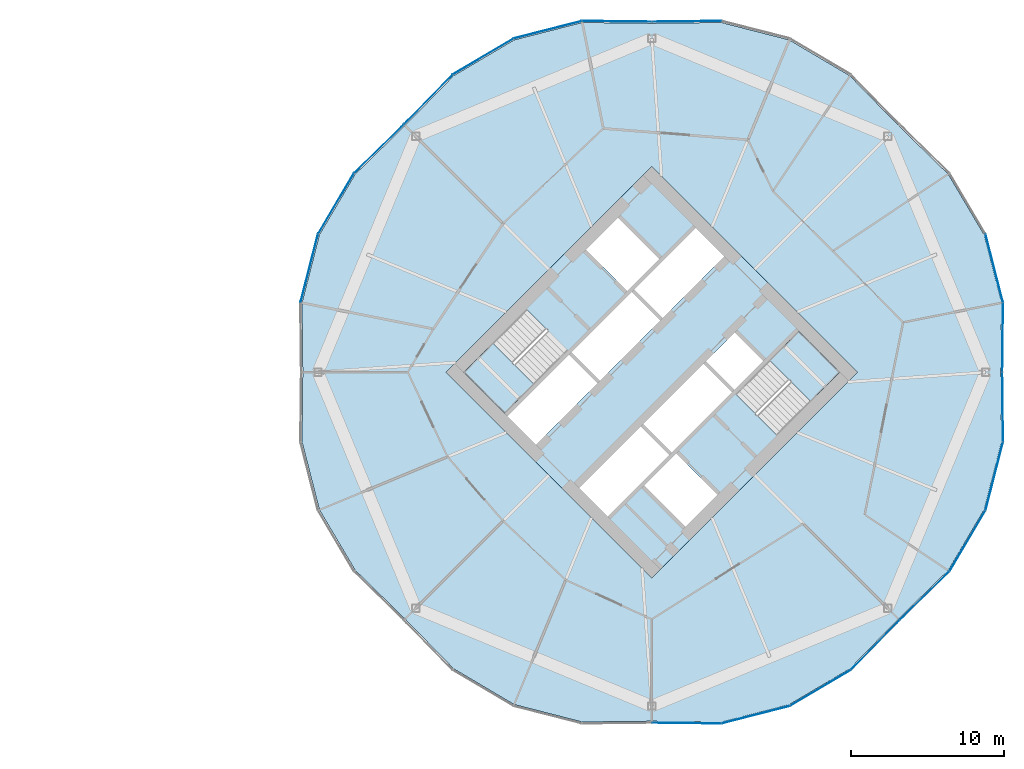
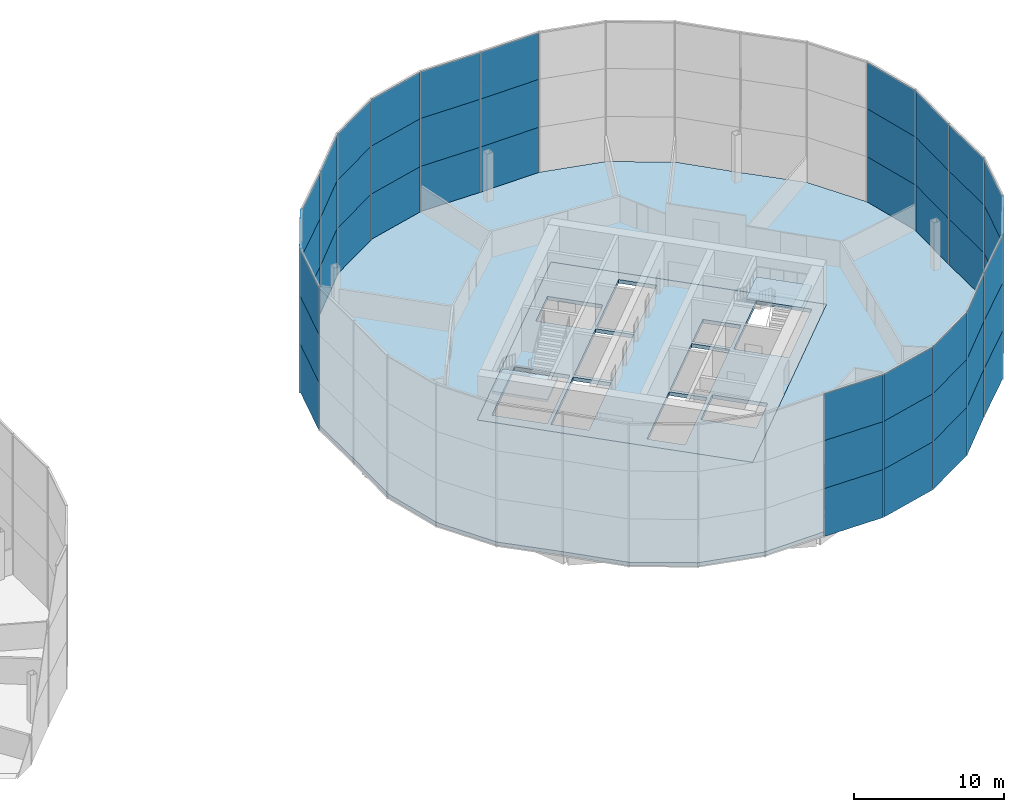
# One storey, part 18 of 25: 54 plates, 4 slabs, 8 elements without a shape of their own.
"""IFC4 building model written with IfcOpenShell, lengths in metres."""

from ifc_helpers import new_model, si_unit, direction, frame, origin, origin_2d, place, context, subcontext, project, spatial, polyline, rectangle, outline, extrude, material, layer, layer_set, type_object, element, aggregate, save


model = new_model("IFC4")

# Units and contexts
model_context = context("Model", 3, precision=1e-05, world=origin(), true_north=direction((0.0, 1.0)))
body_context = subcontext(model_context, "Body", "Model", "MODEL_VIEW")
ifc_project = project(units=[si_unit("LENGTHUNIT", "METRE"), si_unit("AREAUNIT", "SQUARE_METRE"), si_unit("VOLUMEUNIT", "CUBIC_METRE"), si_unit("PLANEANGLEUNIT", "RADIAN"), si_unit("MASSUNIT", "GRAM", prefix="KILO")], contexts=[model_context])

# Site, building, storey
site_placement = place(None, origin())
site = spatial("IfcSite", under=ifc_project, at=site_placement, CompositionType="ELEMENT")
building_placement = place(site_placement, origin())
building = spatial("IfcBuilding", under=site, at=building_placement, Name="Ogive Gate Towers", CompositionType="ELEMENT")
storey_placement = place(building_placement, frame((0.0, 0.0, 44.10009765625)))
storey = spatial("IfcBuildingStorey", under=building, at=storey_placement, Name="L09", CompositionType="ELEMENT", Elevation=44.10009765625)

# Slabs
ifc_material_1 = material(Name="Concrete C40/50", Category="concrete")
ifc_layer_1 = layer(ifc_material_1, 0.300048828125)
ifc_layer_set_1 = layer_set([ifc_layer_1], Name="Core slab C40/50 300 mm")
slab_type_1 = type_object("IfcSlabType", Name="Core slab C40/50 300 mm", PredefinedType="FLOOR", material=ifc_layer_set_1)
slab_1_placement = place(storey_placement, frame((0.0, 0.0, -0.300048828125)))
element("IfcSlab", 1, at=slab_1_placement, inside=storey, type_object=slab_type_1, Name="T2 L09 core slab", PredefinedType="FLOOR", context=body_context, shape_type="SweptSolid", body=[
    extrude(outline(polyline([(36.0, 13.43505859375), (49.43505859375, 0.0), (36.0, -13.43505859375), (22.56494140625, 0.0), (36.0, 13.43505859375)]), holes=[polyline([(30.590576171875, 1.13134765625), (26.577880859375, -2.881591796875), (28.43408203125, -4.737548828125), (32.44677734375, -0.724853515625), (30.590576171875, 1.13134765625)]), polyline([(36.548095703125, 3.37646484375), (34.69189453125, 5.232666015625), (30.767333984375, 1.30810546875), (32.62353515625, -0.548095703125), (36.548095703125, 3.37646484375)]), polyline([(36.724853515625, 3.55322265625), (40.737548828125, 7.56591796875), (38.881591796875, 9.422119140625), (34.86865234375, 5.409423828125), (36.724853515625, 3.55322265625)]), polyline([(31.262451171875, -7.56591796875), (33.118408203125, -9.422119140625), (37.13134765625, -5.409423828125), (35.275146484375, -3.55322265625), (31.262451171875, -7.56591796875)]), polyline([(39.37646484375, 0.548095703125), (35.451904296875, -3.37646484375), (37.30810546875, -5.232666015625), (41.232666015625, -1.30810546875), (39.37646484375, 0.548095703125)]), polyline([(43.283203125, 0.742431640625), (41.427001953125, 2.5986328125), (39.55322265625, 0.724853515625), (41.409423828125, -1.13134765625), (43.283203125, 0.742431640625)]), polyline([(34.408935546875, 5.30322265625), (36.4951171875, 7.389404296875), (33.790283203125, 10.093994140625), (31.704345703125, 8.008056640625), (34.408935546875, 5.30322265625)]), polyline([(35.5048828125, -7.389404296875), (38.209716796875, -10.093994140625), (40.295654296875, -8.008056640625), (37.591064453125, -5.30322265625), (35.5048828125, -7.389404296875)]), polyline([(26.40087890625, -2.70458984375), (30.512939453125, 1.406982421875), (27.80810546875, 4.11181640625), (23.6962890625, 0.0), (26.40087890625, -2.70458984375)]), polyline([(48.3037109375, 0.0), (45.59912109375, 2.70458984375), (41.487060546875, -1.406982421875), (44.19189453125, -4.11181640625), (48.3037109375, 0.0)])]), origin(), (0.0, 0.0, 1.0), 0.300048828125),
])
ifc_material_2 = material(Name="Concrete C35/45", Category="concrete")
ifc_layer_2 = layer(ifc_material_2, 0.300048828125)
ifc_layer_set_2 = layer_set([ifc_layer_2], Name="Floor slab 300")
slab_type_2 = type_object("IfcSlabType", Name="Floor slab 300", PredefinedType="FLOOR", material=ifc_layer_set_2)
slab_2_placement = place(storey_placement, frame((0.0, 0.0, -0.300048828125)))
element("IfcSlab", 2, at=slab_2_placement, inside=storey, type_object=slab_type_2, Name="T2/L09/SSL001", PredefinedType="FLOOR", context=body_context, shape_type="SweptSolid", body=[
    extrude(outline(polyline([(58.852294921875, -4.545654296875), (58.800048828125, 0.0), (58.852294921875, 4.545654296875), (57.711181640625, 8.9931640625), (55.373291015625, 12.94482421875), (52.1220703125, 16.1220703125), (48.94482421875, 19.373291015625), (44.9931640625, 21.711181640625), (40.545654296875, 22.852294921875), (36.0, 22.800048828125), (31.454345703125, 22.852294921875), (27.0068359375, 21.711181640625), (23.05517578125, 19.373291015625), (19.8779296875, 16.1220703125), (16.626708984375, 12.94482421875), (14.288818359375, 8.9931640625), (13.147705078125, 4.545654296875), (13.199951171875, 0.0), (13.147705078125, -4.545654296875), (14.288818359375, -8.9931640625), (16.626708984375, -12.94482421875), (19.8779296875, -16.1220703125), (23.05517578125, -19.373291015625), (27.0068359375, -21.711181640625), (31.454345703125, -22.852294921875), (36.0, -22.800048828125), (40.545654296875, -22.852294921875), (44.9931640625, -21.711181640625), (48.94482421875, -19.373291015625), (52.1220703125, -16.1220703125), (55.373291015625, -12.94482421875), (57.711181640625, -8.9931640625), (58.852294921875, -4.545654296875)]), holes=[polyline([(49.43505859375, 0.0), (36.0, -13.43505859375), (22.56494140625, 0.0), (36.0, 13.43505859375), (49.43505859375, 0.0)])]), origin(), (0.0, 0.0, 1.0), 0.300048828125),
])

# Stair, slab
stair_type = type_object("IfcStairType", Name="Escape stair 1840 wide", PredefinedType="HALF_TURN_STAIR", material=ifc_material_1)
stair_1_placement = place(storey_placement, origin())
stair_1 = element("IfcStair", 3, at=stair_1_placement, inside=storey, type_object=stair_type, Name="L09 Escape stair 1", PredefinedType="HALF_TURN_STAIR")
ifc_layer_3 = layer(ifc_material_1, 0.199951171875)
ifc_layer_set_3 = layer_set([ifc_layer_3], Name="Stair landing 200 mm")
slab_type_3 = type_object("IfcSlabType", Name="Stair landing 200 mm", PredefinedType="LANDING", material=ifc_layer_set_3)
slab_3_placement = place(storey_placement, frame((0.0, 0.0, 1.75)))
slab_3 = element("IfcSlab", 4, at=slab_3_placement, type_object=slab_type_3, Name="ST1 landing 1", PredefinedType="LANDING", context=body_context, shape_type="SweptSolid", body=[
    extrude(outline(polyline([(25.6044921875, 1.908203125), (23.6962890625, 0.0), (26.401123046875, -2.70458984375), (28.309326171875, -0.79638671875), (25.6044921875, 1.908203125)])), origin(), (0.0, 0.0, 1.0), 0.199951171875),
])
aggregate(stair_1, [slab_3])

stair_2_placement = place(storey_placement, origin())
stair_2 = element("IfcStair", 5, at=stair_2_placement, inside=storey, type_object=stair_type, Name="L09 Escape stair 2", PredefinedType="HALF_TURN_STAIR")
slab_4_placement = place(storey_placement, frame((0.0, 0.0, 1.75)))
slab_4 = element("IfcSlab", 6, at=slab_4_placement, type_object=slab_type_3, Name="ST2 landing 1", PredefinedType="LANDING", context=body_context, shape_type="SweptSolid", body=[
    extrude(outline(polyline([(46.3955078125, -1.908203125), (48.3037109375, 0.0), (45.598876953125, 2.70458984375), (43.690673828125, 0.79638671875), (46.3955078125, -1.908203125)])), origin(), (0.0, 0.0, 1.0), 0.199951171875),
])
aggregate(stair_2, [slab_4])

# Curtain wall, plates
ifc_material_3 = material(Name="Pale metal aluminium", Category="aluminium")
curtain_wall_type = type_object("IfcCurtainWallType", Name="Tower unitised wall, low zone", PredefinedType="NOTDEFINED", material=ifc_material_3)
curtain_wall_1_placement = place(storey_placement, origin())
curtain_wall_1 = element("IfcCurtainWall", 7, at=curtain_wall_1_placement, inside=storey, type_object=curtain_wall_type, Name="CW1 T2 ECW01", PredefinedType="NOTDEFINED")
ifc_material_4 = material(Name="Clear glass", Category="glass")
ifc_layer_4 = layer(ifc_material_4, 0.028076171875)
ifc_layer_set_4 = layer_set([ifc_layer_4], Name="Tower unitised wall, low zone glass panel")
plate_type = type_object("IfcPlateType", Name="Tower unitised wall, low zone glass panel", PredefinedType="CURTAIN_PANEL", material=ifc_layer_set_4)
plate_1_placement = place(storey_placement, frame((58.92626953125, 2.27685546875, -0.300048828125), z_axis=(0.0, 0.0, 1.0), x_axis=(0.011501466179, 0.99993385595, 0.0)))
plate_1 = element("IfcPlate", 8, at=plate_1_placement, type_object=plate_type, Name="CW1 glass panel", PredefinedType="CURTAIN_PANEL", context=body_context, shape_type="SweptSolid", body=[
    extrude(rectangle(XDim=4.500244140625, YDim=0.028076171875, at=origin_2d()), origin(), (0.0, 0.0, 1.0), 3.89990234375),
])
plate_2_placement = place(storey_placement, frame((58.92626953125, 2.27685546875, 3.599853515625), z_axis=(0.0, 0.0, 1.0), x_axis=(0.011501466179, 0.99993385595, 0.0)))
plate_2 = element("IfcPlate", 9, at=plate_2_placement, type_object=plate_type, Name="CW1 glass panel", PredefinedType="CURTAIN_PANEL", context=body_context, shape_type="SweptSolid", body=[
    extrude(rectangle(XDim=4.500244140625, YDim=0.028076171875, at=origin_2d()), origin(), (0.0, 0.0, 1.0), 3.89990234375),
])
plate_3_placement = place(storey_placement, frame((58.92626953125, 2.27685546875, 7.5), z_axis=(0.0, 0.0, 1.0), x_axis=(0.011501466179, 0.99993385595, 0.0)))
plate_3 = element("IfcPlate", 10, at=plate_3_placement, type_object=plate_type, Name="CW1 glass panel", PredefinedType="CURTAIN_PANEL", context=body_context, shape_type="SweptSolid", body=[
    extrude(rectangle(XDim=4.500244140625, YDim=0.028076171875, at=origin_2d()), origin(), (0.0, 0.0, 1.0), 3.803955078125),
])
plate_4_placement = place(storey_placement, frame((58.37841796875, 6.794677734375, -0.300048828125), z_axis=(0.0, 0.0, 1.0), x_axis=(-0.248520833726, 0.96862655095, 0.0)))
plate_4 = element("IfcPlate", 11, at=plate_4_placement, type_object=plate_type, Name="CW1 glass panel", PredefinedType="CURTAIN_PANEL", context=body_context, shape_type="SweptSolid", body=[
    extrude(rectangle(XDim=4.55712890625, YDim=0.028076171875, at=origin_2d()), origin(), (0.0, 0.0, 1.0), 3.89990234375),
])
plate_5_placement = place(storey_placement, frame((58.37841796875, 6.794677734375, 3.599853515625), z_axis=(0.0, 0.0, 1.0), x_axis=(-0.248520833726, 0.96862655095, 0.0)))
plate_5 = element("IfcPlate", 12, at=plate_5_placement, type_object=plate_type, Name="CW1 glass panel", PredefinedType="CURTAIN_PANEL", context=body_context, shape_type="SweptSolid", body=[
    extrude(rectangle(XDim=4.55712890625, YDim=0.028076171875, at=origin_2d()), origin(), (0.0, 0.0, 1.0), 3.89990234375),
])
plate_6_placement = place(storey_placement, frame((58.37841796875, 6.794677734375, 7.5), z_axis=(0.0, 0.0, 1.0), x_axis=(-0.248520833726, 0.96862655095, 0.0)))
plate_6 = element("IfcPlate", 13, at=plate_6_placement, type_object=plate_type, Name="CW1 glass panel", PredefinedType="CURTAIN_PANEL", context=body_context, shape_type="SweptSolid", body=[
    extrude(rectangle(XDim=4.55712890625, YDim=0.028076171875, at=origin_2d()), origin(), (0.0, 0.0, 1.0), 3.803955078125),
])
aggregate(curtain_wall_1, [plate_1, plate_2, plate_3, plate_4, plate_5, plate_6])

curtain_wall_2_placement = place(storey_placement, origin())
curtain_wall_2 = element("IfcCurtainWall", 14, at=curtain_wall_2_placement, inside=storey, type_object=curtain_wall_type, Name="CW1 T2 ECW02", PredefinedType="NOTDEFINED")
plate_7_placement = place(storey_placement, frame((38.27685546875, 22.92626953125, -0.300048828125), z_axis=(0.0, 0.0, 1.0), x_axis=(-0.99993385595, -0.011501466179, 0.0)))
plate_7 = element("IfcPlate", 15, at=plate_7_placement, type_object=plate_type, Name="CW1 glass panel", PredefinedType="CURTAIN_PANEL", context=body_context, shape_type="SweptSolid", body=[
    extrude(rectangle(XDim=4.500244140625, YDim=0.028076171875, at=origin_2d()), origin(), (0.0, 0.0, 1.0), 3.89990234375),
])
plate_8_placement = place(storey_placement, frame((38.27685546875, 22.92626953125, 3.599853515625), z_axis=(0.0, 0.0, 1.0), x_axis=(-0.99993385595, -0.011501466179, 0.0)))
plate_8 = element("IfcPlate", 16, at=plate_8_placement, type_object=plate_type, Name="CW1 glass panel", PredefinedType="CURTAIN_PANEL", context=body_context, shape_type="SweptSolid", body=[
    extrude(rectangle(XDim=4.500244140625, YDim=0.028076171875, at=origin_2d()), origin(), (0.0, 0.0, 1.0), 3.89990234375),
])
plate_9_placement = place(storey_placement, frame((38.27685546875, 22.92626953125, 7.5), z_axis=(0.0, 0.0, 1.0), x_axis=(-0.99993385595, -0.011501466179, 0.0)))
plate_9 = element("IfcPlate", 17, at=plate_9_placement, type_object=plate_type, Name="CW1 glass panel", PredefinedType="CURTAIN_PANEL", context=body_context, shape_type="SweptSolid", body=[
    extrude(rectangle(XDim=4.500244140625, YDim=0.028076171875, at=origin_2d()), origin(), (0.0, 0.0, 1.0), 3.803955078125),
])
aggregate(curtain_wall_2, [plate_7, plate_8, plate_9])

curtain_wall_3_placement = place(storey_placement, origin())
curtain_wall_3 = element("IfcCurtainWall", 18, at=curtain_wall_3_placement, inside=storey, type_object=curtain_wall_type, Name="CW1 T2 ECW03", PredefinedType="NOTDEFINED")
plate_10_placement = place(storey_placement, frame((33.72314453125, 22.92626953125, -0.300048828125), z_axis=(0.0, 0.0, 1.0), x_axis=(-0.99993385595, 0.011501466179, 0.0)))
plate_10 = element("IfcPlate", 19, at=plate_10_placement, type_object=plate_type, Name="CW1 glass panel", PredefinedType="CURTAIN_PANEL", context=body_context, shape_type="SweptSolid", body=[
    extrude(rectangle(XDim=4.500244140625, YDim=0.028076171875, at=origin_2d()), origin(), (0.0, 0.0, 1.0), 3.89990234375),
])
plate_11_placement = place(storey_placement, frame((33.72314453125, 22.92626953125, 3.599853515625), z_axis=(0.0, 0.0, 1.0), x_axis=(-0.99993385595, 0.011501466179, 0.0)))
plate_11 = element("IfcPlate", 20, at=plate_11_placement, type_object=plate_type, Name="CW1 glass panel", PredefinedType="CURTAIN_PANEL", context=body_context, shape_type="SweptSolid", body=[
    extrude(rectangle(XDim=4.500244140625, YDim=0.028076171875, at=origin_2d()), origin(), (0.0, 0.0, 1.0), 3.89990234375),
])
plate_12_placement = place(storey_placement, frame((33.72314453125, 22.92626953125, 7.5), z_axis=(0.0, 0.0, 1.0), x_axis=(-0.99993385595, 0.011501466179, 0.0)))
plate_12 = element("IfcPlate", 21, at=plate_12_placement, type_object=plate_type, Name="CW1 glass panel", PredefinedType="CURTAIN_PANEL", context=body_context, shape_type="SweptSolid", body=[
    extrude(rectangle(XDim=4.500244140625, YDim=0.028076171875, at=origin_2d()), origin(), (0.0, 0.0, 1.0), 3.803955078125),
])
plate_13_placement = place(storey_placement, frame((29.205322265625, 22.37841796875, -0.300048828125), z_axis=(0.0, 0.0, 1.0), x_axis=(-0.96862655095, -0.248520833726, 0.0)))
plate_13 = element("IfcPlate", 22, at=plate_13_placement, type_object=plate_type, Name="CW1 glass panel", PredefinedType="CURTAIN_PANEL", context=body_context, shape_type="SweptSolid", body=[
    extrude(rectangle(XDim=4.55712890625, YDim=0.028076171875, at=origin_2d()), origin(), (0.0, 0.0, 1.0), 3.89990234375),
])
plate_14_placement = place(storey_placement, frame((29.205322265625, 22.37841796875, 3.599853515625), z_axis=(0.0, 0.0, 1.0), x_axis=(-0.96862655095, -0.248520833726, 0.0)))
plate_14 = element("IfcPlate", 23, at=plate_14_placement, type_object=plate_type, Name="CW1 glass panel", PredefinedType="CURTAIN_PANEL", context=body_context, shape_type="SweptSolid", body=[
    extrude(rectangle(XDim=4.55712890625, YDim=0.028076171875, at=origin_2d()), origin(), (0.0, 0.0, 1.0), 3.89990234375),
])
plate_15_placement = place(storey_placement, frame((29.205322265625, 22.37841796875, 7.5), z_axis=(0.0, 0.0, 1.0), x_axis=(-0.96862655095, -0.248520833726, 0.0)))
plate_15 = element("IfcPlate", 24, at=plate_15_placement, type_object=plate_type, Name="CW1 glass panel", PredefinedType="CURTAIN_PANEL", context=body_context, shape_type="SweptSolid", body=[
    extrude(rectangle(XDim=4.55712890625, YDim=0.028076171875, at=origin_2d()), origin(), (0.0, 0.0, 1.0), 3.803955078125),
])
plate_16_placement = place(storey_placement, frame((24.98046875, 20.62841796875, -0.300048828125), z_axis=(0.0, 0.0, 1.0), x_axis=(-0.860662056347, -0.509176614511, 0.0)))
plate_16 = element("IfcPlate", 25, at=plate_16_placement, type_object=plate_type, Name="CW1 glass panel", PredefinedType="CURTAIN_PANEL", context=body_context, shape_type="SweptSolid", body=[
    extrude(rectangle(XDim=4.55712890625, YDim=0.028076171875, at=origin_2d()), origin(), (0.0, 0.0, 1.0), 3.89990234375),
])
plate_17_placement = place(storey_placement, frame((24.98046875, 20.62841796875, 3.599853515625), z_axis=(0.0, 0.0, 1.0), x_axis=(-0.860662056347, -0.509176614511, 0.0)))
plate_17 = element("IfcPlate", 26, at=plate_17_placement, type_object=plate_type, Name="CW1 glass panel", PredefinedType="CURTAIN_PANEL", context=body_context, shape_type="SweptSolid", body=[
    extrude(rectangle(XDim=4.55712890625, YDim=0.028076171875, at=origin_2d()), origin(), (0.0, 0.0, 1.0), 3.89990234375),
])
plate_18_placement = place(storey_placement, frame((24.98046875, 20.62841796875, 7.5), z_axis=(0.0, 0.0, 1.0), x_axis=(-0.860662056347, -0.509176614511, 0.0)))
plate_18 = element("IfcPlate", 27, at=plate_18_placement, type_object=plate_type, Name="CW1 glass panel", PredefinedType="CURTAIN_PANEL", context=body_context, shape_type="SweptSolid", body=[
    extrude(rectangle(XDim=4.55712890625, YDim=0.028076171875, at=origin_2d()), origin(), (0.0, 0.0, 1.0), 3.803955078125),
])
plate_19_placement = place(storey_placement, frame((21.398681640625, 17.8212890625, -0.300048828125), z_axis=(0.0, 0.0, 1.0), x_axis=(-0.698914762976, -0.715204973482, 0.0)))
plate_19 = element("IfcPlate", 28, at=plate_19_placement, type_object=plate_type, Name="CW1 glass panel", PredefinedType="CURTAIN_PANEL", context=body_context, shape_type="SweptSolid", body=[
    extrude(rectangle(XDim=4.5, YDim=0.028076171875, at=origin_2d()), origin(), (0.0, 0.0, 1.0), 3.89990234375),
])
plate_20_placement = place(storey_placement, frame((21.398681640625, 17.8212890625, 3.599853515625), z_axis=(0.0, 0.0, 1.0), x_axis=(-0.698914762976, -0.715204973482, 0.0)))
plate_20 = element("IfcPlate", 29, at=plate_20_placement, type_object=plate_type, Name="CW1 glass panel", PredefinedType="CURTAIN_PANEL", context=body_context, shape_type="SweptSolid", body=[
    extrude(rectangle(XDim=4.5, YDim=0.028076171875, at=origin_2d()), origin(), (0.0, 0.0, 1.0), 3.89990234375),
])
plate_21_placement = place(storey_placement, frame((21.398681640625, 17.8212890625, 7.5), z_axis=(0.0, 0.0, 1.0), x_axis=(-0.698914762976, -0.715204973482, 0.0)))
plate_21 = element("IfcPlate", 30, at=plate_21_placement, type_object=plate_type, Name="CW1 glass panel", PredefinedType="CURTAIN_PANEL", context=body_context, shape_type="SweptSolid", body=[
    extrude(rectangle(XDim=4.5, YDim=0.028076171875, at=origin_2d()), origin(), (0.0, 0.0, 1.0), 3.803955078125),
])
aggregate(curtain_wall_3, [plate_10, plate_11, plate_12, plate_13, plate_14, plate_15, plate_16, plate_17, plate_18, plate_19, plate_20, plate_21])

curtain_wall_4_placement = place(storey_placement, origin())
curtain_wall_4 = element("IfcCurtainWall", 31, at=curtain_wall_4_placement, inside=storey, type_object=curtain_wall_type, Name="CW1 T2 ECW04", PredefinedType="NOTDEFINED")
plate_22_placement = place(storey_placement, frame((18.1787109375, 14.601318359375, -0.300048828125), z_axis=(0.0, 0.0, 1.0), x_axis=(-0.715204973482, -0.698914762976, 0.0)))
plate_22 = element("IfcPlate", 32, at=plate_22_placement, type_object=plate_type, Name="CW1 glass panel", PredefinedType="CURTAIN_PANEL", context=body_context, shape_type="SweptSolid", body=[
    extrude(rectangle(XDim=4.5, YDim=0.028076171875, at=origin_2d()), origin(), (0.0, 0.0, 1.0), 3.89990234375),
])
plate_23_placement = place(storey_placement, frame((18.1787109375, 14.601318359375, 3.599853515625), z_axis=(0.0, 0.0, 1.0), x_axis=(-0.715204973482, -0.698914762976, 0.0)))
plate_23 = element("IfcPlate", 33, at=plate_23_placement, type_object=plate_type, Name="CW1 glass panel", PredefinedType="CURTAIN_PANEL", context=body_context, shape_type="SweptSolid", body=[
    extrude(rectangle(XDim=4.5, YDim=0.028076171875, at=origin_2d()), origin(), (0.0, 0.0, 1.0), 3.89990234375),
])
plate_24_placement = place(storey_placement, frame((18.1787109375, 14.601318359375, 7.5), z_axis=(0.0, 0.0, 1.0), x_axis=(-0.715204973482, -0.698914762976, 0.0)))
plate_24 = element("IfcPlate", 34, at=plate_24_placement, type_object=plate_type, Name="CW1 glass panel", PredefinedType="CURTAIN_PANEL", context=body_context, shape_type="SweptSolid", body=[
    extrude(rectangle(XDim=4.5, YDim=0.028076171875, at=origin_2d()), origin(), (0.0, 0.0, 1.0), 3.803955078125),
])
plate_25_placement = place(storey_placement, frame((15.37158203125, 11.01953125, -0.300048828125), z_axis=(0.0, 0.0, 1.0), x_axis=(-0.509176614511, -0.860662056347, 0.0)))
plate_25 = element("IfcPlate", 35, at=plate_25_placement, type_object=plate_type, Name="CW1 glass panel", PredefinedType="CURTAIN_PANEL", context=body_context, shape_type="SweptSolid", body=[
    extrude(rectangle(XDim=4.55712890625, YDim=0.028076171875, at=origin_2d()), origin(), (0.0, 0.0, 1.0), 3.89990234375),
])
plate_26_placement = place(storey_placement, frame((15.37158203125, 11.01953125, 3.599853515625), z_axis=(0.0, 0.0, 1.0), x_axis=(-0.509176614511, -0.860662056347, 0.0)))
plate_26 = element("IfcPlate", 36, at=plate_26_placement, type_object=plate_type, Name="CW1 glass panel", PredefinedType="CURTAIN_PANEL", context=body_context, shape_type="SweptSolid", body=[
    extrude(rectangle(XDim=4.55712890625, YDim=0.028076171875, at=origin_2d()), origin(), (0.0, 0.0, 1.0), 3.89990234375),
])
plate_27_placement = place(storey_placement, frame((15.37158203125, 11.01953125, 7.5), z_axis=(0.0, 0.0, 1.0), x_axis=(-0.509176614511, -0.860662056347, 0.0)))
plate_27 = element("IfcPlate", 37, at=plate_27_placement, type_object=plate_type, Name="CW1 glass panel", PredefinedType="CURTAIN_PANEL", context=body_context, shape_type="SweptSolid", body=[
    extrude(rectangle(XDim=4.55712890625, YDim=0.028076171875, at=origin_2d()), origin(), (0.0, 0.0, 1.0), 3.803955078125),
])
plate_28_placement = place(storey_placement, frame((13.62158203125, 6.794677734375, -0.300048828125), z_axis=(0.0, 0.0, 1.0), x_axis=(-0.248520833726, -0.96862655095, 0.0)))
plate_28 = element("IfcPlate", 38, at=plate_28_placement, type_object=plate_type, Name="CW1 glass panel", PredefinedType="CURTAIN_PANEL", context=body_context, shape_type="SweptSolid", body=[
    extrude(rectangle(XDim=4.55712890625, YDim=0.028076171875, at=origin_2d()), origin(), (0.0, 0.0, 1.0), 3.89990234375),
])
plate_29_placement = place(storey_placement, frame((13.62158203125, 6.794677734375, 3.599853515625), z_axis=(0.0, 0.0, 1.0), x_axis=(-0.248520833726, -0.96862655095, 0.0)))
plate_29 = element("IfcPlate", 39, at=plate_29_placement, type_object=plate_type, Name="CW1 glass panel", PredefinedType="CURTAIN_PANEL", context=body_context, shape_type="SweptSolid", body=[
    extrude(rectangle(XDim=4.55712890625, YDim=0.028076171875, at=origin_2d()), origin(), (0.0, 0.0, 1.0), 3.89990234375),
])
plate_30_placement = place(storey_placement, frame((13.62158203125, 6.794677734375, 7.5), z_axis=(0.0, 0.0, 1.0), x_axis=(-0.248520833726, -0.96862655095, 0.0)))
plate_30 = element("IfcPlate", 40, at=plate_30_placement, type_object=plate_type, Name="CW1 glass panel", PredefinedType="CURTAIN_PANEL", context=body_context, shape_type="SweptSolid", body=[
    extrude(rectangle(XDim=4.55712890625, YDim=0.028076171875, at=origin_2d()), origin(), (0.0, 0.0, 1.0), 3.803955078125),
])
aggregate(curtain_wall_4, [plate_22, plate_23, plate_24, plate_25, plate_26, plate_27, plate_28, plate_29, plate_30])

curtain_wall_5_placement = place(storey_placement, origin())
curtain_wall_5 = element("IfcCurtainWall", 41, at=curtain_wall_5_placement, inside=storey, type_object=curtain_wall_type, Name="CW1 T2 ECW07", PredefinedType="NOTDEFINED")
plate_31_placement = place(storey_placement, frame((38.27685546875, -22.92626953125, -0.300048828125), z_axis=(0.0, 0.0, 1.0), x_axis=(0.99993385595, -0.011501466179, 0.0)))
plate_31 = element("IfcPlate", 42, at=plate_31_placement, type_object=plate_type, Name="CW1 glass panel", PredefinedType="CURTAIN_PANEL", context=body_context, shape_type="SweptSolid", body=[
    extrude(rectangle(XDim=4.500244140625, YDim=0.028076171875, at=origin_2d()), origin(), (0.0, 0.0, 1.0), 3.89990234375),
])
plate_32_placement = place(storey_placement, frame((38.27685546875, -22.92626953125, 3.599853515625), z_axis=(0.0, 0.0, 1.0), x_axis=(0.99993385595, -0.011501466179, 0.0)))
plate_32 = element("IfcPlate", 43, at=plate_32_placement, type_object=plate_type, Name="CW1 glass panel", PredefinedType="CURTAIN_PANEL", context=body_context, shape_type="SweptSolid", body=[
    extrude(rectangle(XDim=4.500244140625, YDim=0.028076171875, at=origin_2d()), origin(), (0.0, 0.0, 1.0), 3.89990234375),
])
plate_33_placement = place(storey_placement, frame((38.27685546875, -22.92626953125, 7.5), z_axis=(0.0, 0.0, 1.0), x_axis=(0.99993385595, -0.011501466179, 0.0)))
plate_33 = element("IfcPlate", 44, at=plate_33_placement, type_object=plate_type, Name="CW1 glass panel", PredefinedType="CURTAIN_PANEL", context=body_context, shape_type="SweptSolid", body=[
    extrude(rectangle(XDim=4.500244140625, YDim=0.028076171875, at=origin_2d()), origin(), (0.0, 0.0, 1.0), 3.803955078125),
])
plate_34_placement = place(storey_placement, frame((42.794677734375, -22.37841796875, -0.300048828125), z_axis=(0.0, 0.0, 1.0), x_axis=(0.96862655095, 0.248520833726, 0.0)))
plate_34 = element("IfcPlate", 45, at=plate_34_placement, type_object=plate_type, Name="CW1 glass panel", PredefinedType="CURTAIN_PANEL", context=body_context, shape_type="SweptSolid", body=[
    extrude(rectangle(XDim=4.55712890625, YDim=0.028076171875, at=origin_2d()), origin(), (0.0, 0.0, 1.0), 3.89990234375),
])
plate_35_placement = place(storey_placement, frame((42.794677734375, -22.37841796875, 3.599853515625), z_axis=(0.0, 0.0, 1.0), x_axis=(0.96862655095, 0.248520833726, 0.0)))
plate_35 = element("IfcPlate", 46, at=plate_35_placement, type_object=plate_type, Name="CW1 glass panel", PredefinedType="CURTAIN_PANEL", context=body_context, shape_type="SweptSolid", body=[
    extrude(rectangle(XDim=4.55712890625, YDim=0.028076171875, at=origin_2d()), origin(), (0.0, 0.0, 1.0), 3.89990234375),
])
plate_36_placement = place(storey_placement, frame((42.794677734375, -22.37841796875, 7.5), z_axis=(0.0, 0.0, 1.0), x_axis=(0.96862655095, 0.248520833726, 0.0)))
plate_36 = element("IfcPlate", 47, at=plate_36_placement, type_object=plate_type, Name="CW1 glass panel", PredefinedType="CURTAIN_PANEL", context=body_context, shape_type="SweptSolid", body=[
    extrude(rectangle(XDim=4.55712890625, YDim=0.028076171875, at=origin_2d()), origin(), (0.0, 0.0, 1.0), 3.803955078125),
])
plate_37_placement = place(storey_placement, frame((47.01953125, -20.62841796875, -0.300048828125), z_axis=(0.0, 0.0, 1.0), x_axis=(0.860662056347, 0.509176614511, 0.0)))
plate_37 = element("IfcPlate", 48, at=plate_37_placement, type_object=plate_type, Name="CW1 glass panel", PredefinedType="CURTAIN_PANEL", context=body_context, shape_type="SweptSolid", body=[
    extrude(rectangle(XDim=4.55712890625, YDim=0.028076171875, at=origin_2d()), origin(), (0.0, 0.0, 1.0), 3.89990234375),
])
plate_38_placement = place(storey_placement, frame((47.01953125, -20.62841796875, 3.599853515625), z_axis=(0.0, 0.0, 1.0), x_axis=(0.860662056347, 0.509176614511, 0.0)))
plate_38 = element("IfcPlate", 49, at=plate_38_placement, type_object=plate_type, Name="CW1 glass panel", PredefinedType="CURTAIN_PANEL", context=body_context, shape_type="SweptSolid", body=[
    extrude(rectangle(XDim=4.55712890625, YDim=0.028076171875, at=origin_2d()), origin(), (0.0, 0.0, 1.0), 3.89990234375),
])
plate_39_placement = place(storey_placement, frame((47.01953125, -20.62841796875, 7.5), z_axis=(0.0, 0.0, 1.0), x_axis=(0.860662056347, 0.509176614511, 0.0)))
plate_39 = element("IfcPlate", 50, at=plate_39_placement, type_object=plate_type, Name="CW1 glass panel", PredefinedType="CURTAIN_PANEL", context=body_context, shape_type="SweptSolid", body=[
    extrude(rectangle(XDim=4.55712890625, YDim=0.028076171875, at=origin_2d()), origin(), (0.0, 0.0, 1.0), 3.803955078125),
])
plate_40_placement = place(storey_placement, frame((50.601318359375, -17.8212890625, -0.300048828125), z_axis=(0.0, 0.0, 1.0), x_axis=(0.698914762976, 0.715204973482, 0.0)))
plate_40 = element("IfcPlate", 51, at=plate_40_placement, type_object=plate_type, Name="CW1 glass panel", PredefinedType="CURTAIN_PANEL", context=body_context, shape_type="SweptSolid", body=[
    extrude(rectangle(XDim=4.5, YDim=0.028076171875, at=origin_2d()), origin(), (0.0, 0.0, 1.0), 3.89990234375),
])
plate_41_placement = place(storey_placement, frame((50.601318359375, -17.8212890625, 3.599853515625), z_axis=(0.0, 0.0, 1.0), x_axis=(0.698914762976, 0.715204973482, 0.0)))
plate_41 = element("IfcPlate", 52, at=plate_41_placement, type_object=plate_type, Name="CW1 glass panel", PredefinedType="CURTAIN_PANEL", context=body_context, shape_type="SweptSolid", body=[
    extrude(rectangle(XDim=4.5, YDim=0.028076171875, at=origin_2d()), origin(), (0.0, 0.0, 1.0), 3.89990234375),
])
plate_42_placement = place(storey_placement, frame((50.601318359375, -17.8212890625, 7.5), z_axis=(0.0, 0.0, 1.0), x_axis=(0.698914762976, 0.715204973482, 0.0)))
plate_42 = element("IfcPlate", 53, at=plate_42_placement, type_object=plate_type, Name="CW1 glass panel", PredefinedType="CURTAIN_PANEL", context=body_context, shape_type="SweptSolid", body=[
    extrude(rectangle(XDim=4.5, YDim=0.028076171875, at=origin_2d()), origin(), (0.0, 0.0, 1.0), 3.803955078125),
])
aggregate(curtain_wall_5, [plate_31, plate_32, plate_33, plate_34, plate_35, plate_36, plate_37, plate_38, plate_39, plate_40, plate_41, plate_42])

curtain_wall_6_placement = place(storey_placement, origin())
curtain_wall_6 = element("IfcCurtainWall", 54, at=curtain_wall_6_placement, inside=storey, type_object=curtain_wall_type, Name="CW1 T2 ECW08", PredefinedType="NOTDEFINED")
plate_43_placement = place(storey_placement, frame((53.8212890625, -14.601318359375, -0.300048828125), z_axis=(0.0, 0.0, 1.0), x_axis=(0.715204973482, 0.698914762976, 0.0)))
plate_43 = element("IfcPlate", 55, at=plate_43_placement, type_object=plate_type, Name="CW1 glass panel", PredefinedType="CURTAIN_PANEL", context=body_context, shape_type="SweptSolid", body=[
    extrude(rectangle(XDim=4.5, YDim=0.028076171875, at=origin_2d()), origin(), (0.0, 0.0, 1.0), 3.89990234375),
])
plate_44_placement = place(storey_placement, frame((53.8212890625, -14.601318359375, 3.599853515625), z_axis=(0.0, 0.0, 1.0), x_axis=(0.715204973482, 0.698914762976, 0.0)))
plate_44 = element("IfcPlate", 56, at=plate_44_placement, type_object=plate_type, Name="CW1 glass panel", PredefinedType="CURTAIN_PANEL", context=body_context, shape_type="SweptSolid", body=[
    extrude(rectangle(XDim=4.5, YDim=0.028076171875, at=origin_2d()), origin(), (0.0, 0.0, 1.0), 3.89990234375),
])
plate_45_placement = place(storey_placement, frame((53.8212890625, -14.601318359375, 7.5), z_axis=(0.0, 0.0, 1.0), x_axis=(0.715204973482, 0.698914762976, 0.0)))
plate_45 = element("IfcPlate", 57, at=plate_45_placement, type_object=plate_type, Name="CW1 glass panel", PredefinedType="CURTAIN_PANEL", context=body_context, shape_type="SweptSolid", body=[
    extrude(rectangle(XDim=4.5, YDim=0.028076171875, at=origin_2d()), origin(), (0.0, 0.0, 1.0), 3.803955078125),
])
plate_46_placement = place(storey_placement, frame((56.62841796875, -11.01953125, -0.300048828125), z_axis=(0.0, 0.0, 1.0), x_axis=(0.509176614511, 0.860662056347, 0.0)))
plate_46 = element("IfcPlate", 58, at=plate_46_placement, type_object=plate_type, Name="CW1 glass panel", PredefinedType="CURTAIN_PANEL", context=body_context, shape_type="SweptSolid", body=[
    extrude(rectangle(XDim=4.55712890625, YDim=0.028076171875, at=origin_2d()), origin(), (0.0, 0.0, 1.0), 3.89990234375),
])
plate_47_placement = place(storey_placement, frame((56.62841796875, -11.01953125, 3.599853515625), z_axis=(0.0, 0.0, 1.0), x_axis=(0.509176614511, 0.860662056347, 0.0)))
plate_47 = element("IfcPlate", 59, at=plate_47_placement, type_object=plate_type, Name="CW1 glass panel", PredefinedType="CURTAIN_PANEL", context=body_context, shape_type="SweptSolid", body=[
    extrude(rectangle(XDim=4.55712890625, YDim=0.028076171875, at=origin_2d()), origin(), (0.0, 0.0, 1.0), 3.89990234375),
])
plate_48_placement = place(storey_placement, frame((56.62841796875, -11.01953125, 7.5), z_axis=(0.0, 0.0, 1.0), x_axis=(0.509176614511, 0.860662056347, 0.0)))
plate_48 = element("IfcPlate", 60, at=plate_48_placement, type_object=plate_type, Name="CW1 glass panel", PredefinedType="CURTAIN_PANEL", context=body_context, shape_type="SweptSolid", body=[
    extrude(rectangle(XDim=4.55712890625, YDim=0.028076171875, at=origin_2d()), origin(), (0.0, 0.0, 1.0), 3.803955078125),
])
plate_49_placement = place(storey_placement, frame((58.37841796875, -6.794677734375, -0.300048828125), z_axis=(0.0, 0.0, 1.0), x_axis=(0.248520833726, 0.96862655095, 0.0)))
plate_49 = element("IfcPlate", 61, at=plate_49_placement, type_object=plate_type, Name="CW1 glass panel", PredefinedType="CURTAIN_PANEL", context=body_context, shape_type="SweptSolid", body=[
    extrude(rectangle(XDim=4.55712890625, YDim=0.028076171875, at=origin_2d()), origin(), (0.0, 0.0, 1.0), 3.89990234375),
])
plate_50_placement = place(storey_placement, frame((58.37841796875, -6.794677734375, 3.599853515625), z_axis=(0.0, 0.0, 1.0), x_axis=(0.248520833726, 0.96862655095, 0.0)))
plate_50 = element("IfcPlate", 62, at=plate_50_placement, type_object=plate_type, Name="CW1 glass panel", PredefinedType="CURTAIN_PANEL", context=body_context, shape_type="SweptSolid", body=[
    extrude(rectangle(XDim=4.55712890625, YDim=0.028076171875, at=origin_2d()), origin(), (0.0, 0.0, 1.0), 3.89990234375),
])
plate_51_placement = place(storey_placement, frame((58.37841796875, -6.794677734375, 7.5), z_axis=(0.0, 0.0, 1.0), x_axis=(0.248520833726, 0.96862655095, 0.0)))
plate_51 = element("IfcPlate", 63, at=plate_51_placement, type_object=plate_type, Name="CW1 glass panel", PredefinedType="CURTAIN_PANEL", context=body_context, shape_type="SweptSolid", body=[
    extrude(rectangle(XDim=4.55712890625, YDim=0.028076171875, at=origin_2d()), origin(), (0.0, 0.0, 1.0), 3.803955078125),
])
plate_52_placement = place(storey_placement, frame((58.92626953125, -2.27685546875, -0.300048828125), z_axis=(0.0, 0.0, 1.0), x_axis=(-0.011501466179, 0.99993385595, 0.0)))
plate_52 = element("IfcPlate", 64, at=plate_52_placement, type_object=plate_type, Name="CW1 glass panel", PredefinedType="CURTAIN_PANEL", context=body_context, shape_type="SweptSolid", body=[
    extrude(rectangle(XDim=4.500244140625, YDim=0.028076171875, at=origin_2d()), origin(), (0.0, 0.0, 1.0), 3.89990234375),
])
plate_53_placement = place(storey_placement, frame((58.92626953125, -2.27685546875, 3.599853515625), z_axis=(0.0, 0.0, 1.0), x_axis=(-0.011501466179, 0.99993385595, 0.0)))
plate_53 = element("IfcPlate", 65, at=plate_53_placement, type_object=plate_type, Name="CW1 glass panel", PredefinedType="CURTAIN_PANEL", context=body_context, shape_type="SweptSolid", body=[
    extrude(rectangle(XDim=4.500244140625, YDim=0.028076171875, at=origin_2d()), origin(), (0.0, 0.0, 1.0), 3.89990234375),
])
plate_54_placement = place(storey_placement, frame((58.92626953125, -2.27685546875, 7.5), z_axis=(0.0, 0.0, 1.0), x_axis=(-0.011501466179, 0.99993385595, 0.0)))
plate_54 = element("IfcPlate", 66, at=plate_54_placement, type_object=plate_type, Name="CW1 glass panel", PredefinedType="CURTAIN_PANEL", context=body_context, shape_type="SweptSolid", body=[
    extrude(rectangle(XDim=4.500244140625, YDim=0.028076171875, at=origin_2d()), origin(), (0.0, 0.0, 1.0), 3.803955078125),
])
aggregate(curtain_wall_6, [plate_43, plate_44, plate_45, plate_46, plate_47, plate_48, plate_49, plate_50, plate_51, plate_52, plate_53, plate_54])

save(model, "model.ifc")
